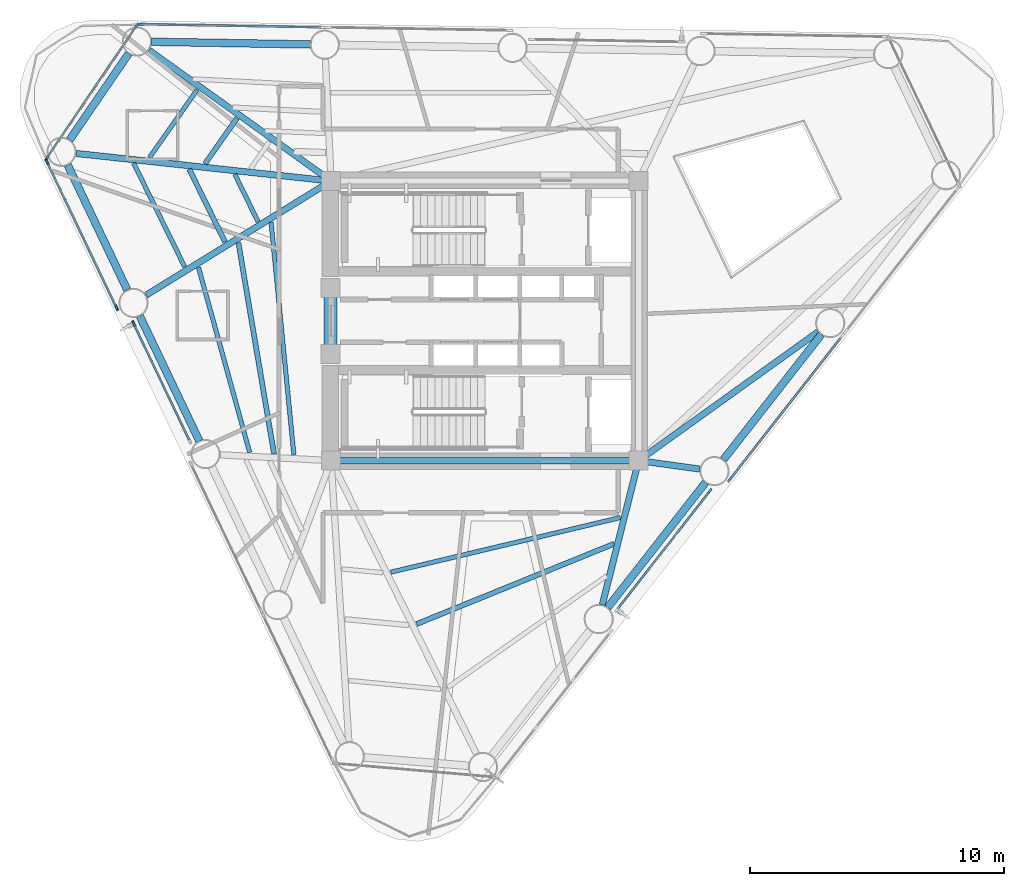
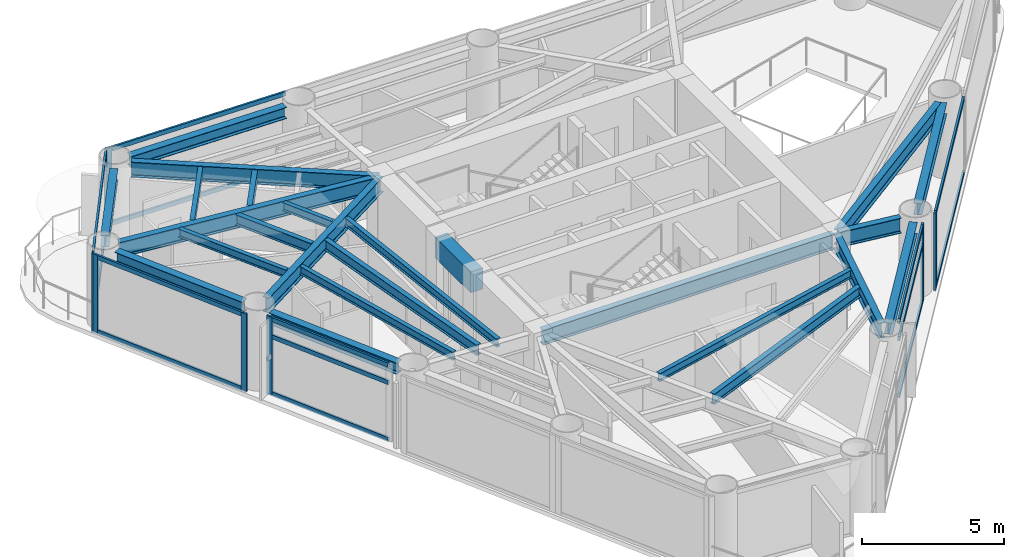
# One storey, part 2 of 9: 24 beams, 22 members, 6 elements without a shape of their own.
"""IFC4 building model written with IfcOpenShell, lengths in metres."""

from ifc_helpers import new_model, si_unit, direction, frame, origin, origin_2d, place, context, subcontext, project, spatial, rectangle, i_section, extrude, source, transform, mapped, material, layer, layer_set, material_profile, profile_set, type_object, element, aggregate, save


model = new_model("IFC4")

# Units and contexts
model_context = context("Model", 3, precision=1e-05, world=origin(), true_north=direction((0.0, 1.0)))
body_context = subcontext(model_context, "Body", "Model", "MODEL_VIEW")
ifc_project = project(units=[si_unit("LENGTHUNIT", "METRE"), si_unit("AREAUNIT", "SQUARE_METRE"), si_unit("VOLUMEUNIT", "CUBIC_METRE"), si_unit("PLANEANGLEUNIT", "RADIAN"), si_unit("MASSUNIT", "GRAM", prefix="KILO")], contexts=[model_context])

# Site, building, storey
site_placement = place(None, origin())
site = spatial("IfcSite", under=ifc_project, at=site_placement, CompositionType="ELEMENT")
building_placement = place(site_placement, origin())
building = spatial("IfcBuilding", under=site, at=building_placement, Name="Yunling Apex Tower", CompositionType="ELEMENT")
storey_placement = place(building_placement, frame((0.0, 0.0, 201.800048828125)))
storey = spatial("IfcBuildingStorey", under=building, at=storey_placement, Name="L49", CompositionType="ELEMENT", Elevation=201.800048828125)

# Beams
ifc_material_1 = material(Name="Concrete C50", Category="concrete")
ifc_material_profile_1 = material_profile(ifc_material_1, rectangle(XDim=0.5, YDim=0.89990234375, at=origin_2d()))
ifc_profile_set_1 = profile_set([ifc_material_profile_1], Name="Concrete C50")
beam_type_1 = type_object("IfcBeamType", Name="BC-CPL-2", PredefinedType="BEAM", material=ifc_profile_set_1)
shared_shape_1 = source(origin(), body_context, "Body", "SweptSolid", [
    extrude(rectangle(XDim=0.5, YDim=0.89990234375, at=origin_2d()), origin(), (0.0, 0.0, 1.0), 2.5),
])
beam_1_placement = place(storey_placement, frame((-6.074951171875, -1.25, 2.820068359375), z_axis=(0.0, 1.0, 0.0), x_axis=(-1.0, 0.0, 0.0)))
element("IfcBeam", 1, at=beam_1_placement, inside=storey, type_object=beam_type_1, Name="L49 Core West Portal Coupling Beam", PredefinedType="BEAM", context=body_context, shape_type="MappedRepresentation", body=[
    mapped(shared_shape_1, transform((0.0, 0.0, 0.0), scale=1.0)),
])
ifc_material_2 = material(Name="Steel Q355B", Category="steel")
ifc_material_profile_2 = material_profile(ifc_material_2, i_section(OverallWidth=0.25, OverallDepth=0.64990234375, WebThickness=0.011962890625, FlangeThickness=0.02001953125, FilletRadius=0.02392578125, at=origin_2d()))
ifc_profile_set_2 = profile_set([ifc_material_profile_2], Name="Steel Q355B")
beam_type_2 = type_object("IfcBeamType", Name="BG-PRI-4", PredefinedType="USERDEFINED", material=ifc_profile_set_2)
shared_shape_2 = source(origin(), body_context, "Body", "SweptSolid", [
    extrude(i_section(OverallWidth=0.25, OverallDepth=0.64990234375, WebThickness=0.011962890625, FlangeThickness=0.02001953125, FilletRadius=0.02392578125, at=origin_2d()), origin(), (0.0, 0.0, 1.0), 11.7998046875),
])
beam_2_placement = place(storey_placement, frame((-5.89990234375, -5.5, 2.945068359375), z_axis=(1.0, 0.0, 0.0), x_axis=(0.0, 1.0, 0.0)))
element("IfcBeam", 2, at=beam_2_placement, inside=storey, type_object=beam_type_2, Name="L49 Core Ring Tie Beam 1", ObjectType="GIRDER", PredefinedType="USERDEFINED", context=body_context, shape_type="MappedRepresentation", body=[
    mapped(shared_shape_2, transform((0.0, 0.0, 0.0), scale=1.0)),
])
ifc_material_profile_3 = material_profile(ifc_material_2, i_section(OverallWidth=0.300048828125, OverallDepth=0.489990234375, WebThickness=0.010986328125, FlangeThickness=0.01806640625, FilletRadius=0.02197265625, at=origin_2d()))
ifc_profile_set_3 = profile_set([ifc_material_profile_3], Name="Steel Q355B")
beam_type_3 = type_object("IfcBeamType", Name="BP-SPN-2", PredefinedType="SPANDREL", material=ifc_profile_set_3)
shared_shape_3 = source(origin(), body_context, "Body", "SweptSolid", [
    extrude(i_section(OverallWidth=0.300048828125, OverallDepth=0.489990234375, WebThickness=0.010986328125, FlangeThickness=0.01806640625, FilletRadius=0.02197265625, at=origin_2d()), origin(), (0.0, 0.0, 1.0), 6.253173828125),
])
for number, where, z_axis, x_axis, name in (
    (3, (4.831298828125, -11.2841796875, 3.02490234375), (0.61621666878, 0.787576673803, 0.0), (-0.787576673803, 0.61621666878, 0.0), "L49 Perimeter Spandrel Beam 2"),
    (4, (9.3857421875, -5.463134765625, 3.02490234375), (0.61621666878, 0.787576673803, 0.0), (-0.787576673803, 0.61621666878, 0.0), "L49 Perimeter Spandrel Beam 3"),
    (5, (-6.86669921875, 10.875, 3.02490234375), (-0.999859061432, 0.016788605428, 0.0), (-0.016788605428, -0.999859061432, 0.0), "L49 Perimeter Spandrel Beam 9"),
):
    element("IfcBeam", number, at=place(storey_placement, frame(where, z_axis=z_axis, x_axis=x_axis)), inside=storey, type_object=beam_type_3, Name=name, PredefinedType="SPANDREL", context=body_context, shape_type="MappedRepresentation", body=[
        mapped(shared_shape_3, transform((0.0, 0.0, 0.0), scale=1.0)),
    ])
shared_shape_4 = source(origin(), body_context, "Body", "SweptSolid", [
    extrude(i_section(OverallWidth=0.300048828125, OverallDepth=0.489990234375, WebThickness=0.010986328125, FlangeThickness=0.01806640625, FilletRadius=0.02197265625, at=origin_2d()), origin(), (0.0, 0.0, 1.0), 4.121337890625),
])
beam_3_placement = place(storey_placement, frame((-14.009033203125, 10.519775390625, 3.02490234375), z_axis=(-0.564775228093, -0.825244776858, 0.0), x_axis=(0.825244776858, -0.564775228093, 0.0)))
element("IfcBeam", 6, at=beam_3_placement, inside=storey, type_object=beam_type_3, Name="L49 Perimeter Spandrel Beam 10", PredefinedType="SPANDREL", context=body_context, shape_type="MappedRepresentation", body=[
    mapped(shared_shape_4, transform((0.0, 0.0, 0.0), scale=1.0)),
])
shared_shape_5 = source(origin(), body_context, "Body", "SweptSolid", [
    extrude(i_section(OverallWidth=0.300048828125, OverallDepth=0.489990234375, WebThickness=0.010986328125, FlangeThickness=0.01806640625, FilletRadius=0.02197265625, at=origin_2d()), origin(), (0.0, 0.0, 1.0), 5.4482421875),
])
for number, where, z_axis, x_axis, name in (
    (7, (-16.4130859375, 6.135498046875, 3.02490234375), (0.430538797564, -0.902572071246, 0.0), (0.902572071246, 0.430538797564, 0.0), "L49 Perimeter Spandrel Beam 11"),
    (8, (-13.577392578125, 0.190673828125, 3.02490234375), (0.430502292287, -0.902589483839, 0.0), (0.902589483839, 0.430502292287, 0.0), "L49 Perimeter Spandrel Beam 12"),
):
    element("IfcBeam", number, at=place(storey_placement, frame(where, z_axis=z_axis, x_axis=x_axis)), inside=storey, type_object=beam_type_3, Name=name, PredefinedType="SPANDREL", context=body_context, shape_type="MappedRepresentation", body=[
        mapped(shared_shape_5, transform((0.0, 0.0, 0.0), scale=1.0)),
    ])
shared_shape_6 = source(origin(), body_context, "Body", "SweptSolid", [
    extrude(i_section(OverallWidth=0.25, OverallDepth=0.64990234375, WebThickness=0.011962890625, FlangeThickness=0.02001953125, FilletRadius=0.02392578125, at=origin_2d()), origin(), (0.0, 0.0, 1.0), 5.763427734375),
])
beam_4_placement = place(storey_placement, frame((4.623291015625, -11.166748046875, 2.945068359375), z_axis=(0.244159894622, 0.969734987436, 0.0), x_axis=(-0.969734987436, 0.244159894622, 0.0)))
element("IfcBeam", 9, at=beam_4_placement, inside=storey, type_object=beam_type_2, Name="L49 Radial Primary Girder R02", ObjectType="GIRDER", PredefinedType="USERDEFINED", context=body_context, shape_type="MappedRepresentation", body=[
    mapped(shared_shape_6, transform((0.0, 0.0, 0.0), scale=1.0)),
])
shared_shape_7 = source(origin(), body_context, "Body", "SweptSolid", [
    extrude(i_section(OverallWidth=0.25, OverallDepth=0.64990234375, WebThickness=0.011962890625, FlangeThickness=0.02001953125, FilletRadius=0.02392578125, at=origin_2d()), origin(), (0.0, 0.0, 1.0), 2.35009765625),
])
beam_5_placement = place(storey_placement, frame((8.45751953125, -5.831787109375, 2.945068359375), z_axis=(-0.990639545436, 0.136503813203, 0.0), x_axis=(-0.136503813203, -0.990639545436, 0.0)))
element("IfcBeam", 10, at=beam_5_placement, inside=storey, type_object=beam_type_2, Name="L49 Radial Primary Girder R03", ObjectType="GIRDER", PredefinedType="USERDEFINED", context=body_context, shape_type="MappedRepresentation", body=[
    mapped(shared_shape_7, transform((0.0, 0.0, 0.0), scale=1.0)),
])
shared_shape_8 = source(origin(), body_context, "Body", "SweptSolid", [
    extrude(i_section(OverallWidth=0.25, OverallDepth=0.64990234375, WebThickness=0.011962890625, FlangeThickness=0.02001953125, FilletRadius=0.02392578125, at=origin_2d()), origin(), (0.0, 0.0, 1.0), 8.616455078125),
])
beam_6_placement = place(storey_placement, frame((13.11572265625, -0.43017578125, 2.945068359375), z_axis=(-0.812487192657, -0.58297904059, 0.0), x_axis=(0.58297904059, -0.812487192657, 0.0)))
element("IfcBeam", 11, at=beam_6_placement, inside=storey, type_object=beam_type_2, Name="L49 Radial Primary Girder R04", ObjectType="GIRDER", PredefinedType="USERDEFINED", context=body_context, shape_type="MappedRepresentation", body=[
    mapped(shared_shape_8, transform((0.0, 0.0, 0.0), scale=1.0)),
])
shared_shape_9 = source(origin(), body_context, "Body", "SweptSolid", [
    extrude(i_section(OverallWidth=0.25, OverallDepth=0.64990234375, WebThickness=0.011962890625, FlangeThickness=0.02001953125, FilletRadius=0.02392578125, at=origin_2d()), origin(), (0.0, 0.0, 1.0), 8.742919921875),
])
beam_7_placement = place(storey_placement, frame((-13.21435546875, 10.649169921875, 2.945068359375), z_axis=(0.812022401907, -0.583626266373, 0.0), x_axis=(0.583626266373, 0.812022401907, 0.0)))
element("IfcBeam", 12, at=beam_7_placement, inside=storey, type_object=beam_type_2, Name="L49 Radial Primary Girder R10", ObjectType="GIRDER", PredefinedType="USERDEFINED", context=body_context, shape_type="MappedRepresentation", body=[
    mapped(shared_shape_9, transform((0.0, 0.0, 0.0), scale=1.0)),
])
shared_shape_10 = source(origin(), body_context, "Body", "SweptSolid", [
    extrude(i_section(OverallWidth=0.25, OverallDepth=0.64990234375, WebThickness=0.011962890625, FlangeThickness=0.02001953125, FilletRadius=0.02392578125, at=origin_2d()), origin(), (0.0, 0.0, 1.0), 10.007080078125),
])
beam_8_placement = place(storey_placement, frame((-16.078369140625, 6.586181640625, 2.945068359375), z_axis=(0.994184902243, -0.107686490111, 0.0), x_axis=(0.107686490111, 0.994184902243, 0.0)))
element("IfcBeam", 13, at=beam_8_placement, inside=storey, type_object=beam_type_2, Name="L49 Radial Primary Girder R11", ObjectType="GIRDER", PredefinedType="USERDEFINED", context=body_context, shape_type="MappedRepresentation", body=[
    mapped(shared_shape_10, transform((0.0, 0.0, 0.0), scale=1.0)),
])
shared_shape_11 = source(origin(), body_context, "Body", "SweptSolid", [
    extrude(i_section(OverallWidth=0.25, OverallDepth=0.64990234375, WebThickness=0.011962890625, FlangeThickness=0.02001953125, FilletRadius=0.02392578125, at=origin_2d()), origin(), (0.0, 0.0, 1.0), 8.4697265625),
])
beam_9_placement = place(storey_placement, frame((-13.326171875, 1.010498046875, 2.945068359375), z_axis=(0.851035190572, 0.525108659621, 0.0), x_axis=(-0.525108659621, 0.851035190572, 0.0)))
element("IfcBeam", 14, at=beam_9_placement, inside=storey, type_object=beam_type_2, Name="L49 Radial Primary Girder R12", ObjectType="GIRDER", PredefinedType="USERDEFINED", context=body_context, shape_type="MappedRepresentation", body=[
    mapped(shared_shape_11, transform((0.0, 0.0, 0.0), scale=1.0)),
])
ifc_material_profile_4 = material_profile(ifc_material_2, i_section(OverallWidth=0.199951171875, OverallDepth=0.449951171875, WebThickness=0.009033203125, FlangeThickness=0.013916015625, FilletRadius=0.01806640625, at=origin_2d()))
ifc_profile_set_4 = profile_set([ifc_material_profile_4], Name="Steel Q355B")
beam_type_4 = type_object("IfcBeamType", Name="BS-SEC-3", PredefinedType="BEAM", material=ifc_profile_set_4)
shared_shape_12 = source(origin(), body_context, "Body", "SweptSolid", [
    extrude(i_section(OverallWidth=0.199951171875, OverallDepth=0.449951171875, WebThickness=0.009033203125, FlangeThickness=0.013916015625, FilletRadius=0.01806640625, at=origin_2d()), origin(), (0.0, 0.0, 1.0), 8.396240234375),
])
beam_10_placement = place(storey_placement, frame((-2.684326171875, -11.9287109375, 3.044921875), z_axis=(0.926431402479, 0.376463619092, 0.0), x_axis=(-0.376463619092, 0.926431402479, 0.0)))
element("IfcBeam", 15, at=beam_10_placement, inside=storey, type_object=beam_type_4, Name="L49 Composite Floor Beam BS-1", PredefinedType="BEAM", context=body_context, shape_type="MappedRepresentation", body=[
    mapped(shared_shape_12, transform((0.0, 0.0, 0.0), scale=1.0)),
])
ifc_material_profile_5 = material_profile(ifc_material_2, i_section(OverallWidth=0.175048828125, OverallDepth=0.35009765625, WebThickness=0.007080078125, FlangeThickness=0.010986328125, FilletRadius=0.013916015625, at=origin_2d()))
ifc_profile_set_5 = profile_set([ifc_material_profile_5], Name="Steel Q355B")
beam_type_5 = type_object("IfcBeamType", Name="BJ-JST-1", PredefinedType="JOIST", material=ifc_profile_set_5)
shared_shape_13 = source(origin(), body_context, "Body", "SweptSolid", [
    extrude(i_section(OverallWidth=0.175048828125, OverallDepth=0.35009765625, WebThickness=0.007080078125, FlangeThickness=0.010986328125, FilletRadius=0.013916015625, at=origin_2d()), origin(), (0.0, 0.0, 1.0), 9.2919921875),
])
beam_11_placement = place(storey_placement, frame((-3.69970703125, -9.88916015625, 3.094970703125), z_axis=(0.972847358166, 0.231447656523, 0.0), x_axis=(-0.231447656523, 0.972847358166, 0.0)))
element("IfcBeam", 16, at=beam_11_placement, inside=storey, type_object=beam_type_5, Name="L49 Composite Floor Joist BJ3-1", PredefinedType="JOIST", context=body_context, shape_type="MappedRepresentation", body=[
    mapped(shared_shape_13, transform((0.0, 0.0, 0.0), scale=1.0)),
])
shared_shape_14 = source(origin(), body_context, "Body", "SweptSolid", [
    extrude(i_section(OverallWidth=0.199951171875, OverallDepth=0.449951171875, WebThickness=0.009033203125, FlangeThickness=0.013916015625, FilletRadius=0.01806640625, at=origin_2d()), origin(), (0.0, 0.0, 1.0), 2.18505859375),
])
beam_12_placement = place(storey_placement, frame((-9.756591796875, 7.966796875, 3.044921875), z_axis=(-0.57454920808, -0.818470040682, 0.0), x_axis=(0.818470040682, -0.57454920808, 0.0)))
element("IfcBeam", 17, at=beam_12_placement, inside=storey, type_object=beam_type_4, Name="L49 Composite Floor Beam BS-10", PredefinedType="BEAM", context=body_context, shape_type="MappedRepresentation", body=[
    mapped(shared_shape_14, transform((0.0, 0.0, 0.0), scale=1.0)),
])
shared_shape_15 = source(origin(), body_context, "Body", "SweptSolid", [
    extrude(i_section(OverallWidth=0.175048828125, OverallDepth=0.35009765625, WebThickness=0.007080078125, FlangeThickness=0.010986328125, FilletRadius=0.013916015625, at=origin_2d()), origin(), (0.0, 0.0, 1.0), 3.270263671875),
])
beam_13_placement = place(storey_placement, frame((-11.318603515625, 9.089599609375, 3.094970703125), z_axis=(-0.575524843555, -0.817784295797, 0.0), x_axis=(0.817784295797, -0.575524843555, 0.0)))
element("IfcBeam", 18, at=beam_13_placement, inside=storey, type_object=beam_type_5, Name="L49 Composite Floor Joist BJ1-10", PredefinedType="JOIST", context=body_context, shape_type="MappedRepresentation", body=[
    mapped(shared_shape_15, transform((0.0, 0.0, 0.0), scale=1.0)),
])
shared_shape_16 = source(origin(), body_context, "Body", "SweptSolid", [
    extrude(i_section(OverallWidth=0.199951171875, OverallDepth=0.449951171875, WebThickness=0.009033203125, FlangeThickness=0.013916015625, FilletRadius=0.01806640625, at=origin_2d()), origin(), (0.0, 0.0, 1.0), 3.1845703125),
])
beam_14_placement = place(storey_placement, frame((-11.63037109375, 5.968505859375, 3.044921875), z_axis=(0.441285246196, -0.897366887895, 0.0), x_axis=(0.897366887895, 0.441285246196, 0.0)))
element("IfcBeam", 19, at=beam_14_placement, inside=storey, type_object=beam_type_4, Name="L49 Composite Floor Beam BS-11", PredefinedType="BEAM", context=body_context, shape_type="MappedRepresentation", body=[
    mapped(shared_shape_16, transform((0.0, 0.0, 0.0), scale=1.0)),
])
shared_shape_17 = source(origin(), body_context, "Body", "SweptSolid", [
    extrude(i_section(OverallWidth=0.175048828125, OverallDepth=0.35009765625, WebThickness=0.007080078125, FlangeThickness=0.010986328125, FilletRadius=0.013916015625, at=origin_2d()), origin(), (0.0, 0.0, 1.0), 4.541259765625),
])
beam_15_placement = place(storey_placement, frame((-13.81884765625, 6.205810546875, 3.094970703125), z_axis=(0.442066776363, -0.896982143209, 0.0), x_axis=(0.896982143209, 0.442066776363, 0.0)))
element("IfcBeam", 20, at=beam_15_placement, inside=storey, type_object=beam_type_5, Name="L49 Composite Floor Joist BJ1-11", PredefinedType="JOIST", context=body_context, shape_type="MappedRepresentation", body=[
    mapped(shared_shape_17, transform((0.0, 0.0, 0.0), scale=1.0)),
])
shared_shape_18 = source(origin(), body_context, "Body", "SweptSolid", [
    extrude(i_section(OverallWidth=0.175048828125, OverallDepth=0.35009765625, WebThickness=0.007080078125, FlangeThickness=0.010986328125, FilletRadius=0.013916015625, at=origin_2d()), origin(), (0.0, 0.0, 1.0), 2.07421875),
])
beam_16_placement = place(storey_placement, frame((-9.839599609375, 5.7744140625, 3.094970703125), z_axis=(0.439758949759, -0.898115842254, 0.0), x_axis=(0.898115842254, 0.439758949759, 0.0)))
element("IfcBeam", 21, at=beam_16_placement, inside=storey, type_object=beam_type_5, Name="L49 Composite Floor Joist BJ3-11", PredefinedType="JOIST", context=body_context, shape_type="MappedRepresentation", body=[
    mapped(shared_shape_18, transform((0.0, 0.0, 0.0), scale=1.0)),
])
shared_shape_19 = source(origin(), body_context, "Body", "SweptSolid", [
    extrude(i_section(OverallWidth=0.199951171875, OverallDepth=0.449951171875, WebThickness=0.009033203125, FlangeThickness=0.013916015625, FilletRadius=0.01806640625, at=origin_2d()), origin(), (0.0, 0.0, 1.0), 8.41943359375),
])
beam_17_placement = place(storey_placement, frame((-9.695556640625, 3.076416015625, 3.044921875), z_axis=(0.16647230798, -0.986046130095, 0.0), x_axis=(0.986046130095, 0.16647230798, 0.0)))
element("IfcBeam", 22, at=beam_17_placement, inside=storey, type_object=beam_type_4, Name="L49 Composite Floor Beam BS-12", PredefinedType="BEAM", context=body_context, shape_type="MappedRepresentation", body=[
    mapped(shared_shape_19, transform((0.0, 0.0, 0.0), scale=1.0)),
])
shared_shape_20 = source(origin(), body_context, "Body", "SweptSolid", [
    extrude(i_section(OverallWidth=0.175048828125, OverallDepth=0.35009765625, WebThickness=0.007080078125, FlangeThickness=0.010986328125, FilletRadius=0.013916015625, at=origin_2d()), origin(), (0.0, 0.0, 1.0), 7.554931640625),
])
beam_18_placement = place(storey_placement, frame((-11.265380859375, 2.1015625, 3.094970703125), z_axis=(0.266700380195, -0.963779490965, 0.0), x_axis=(0.963779490965, 0.266700380195, 0.0)))
element("IfcBeam", 23, at=beam_18_placement, inside=storey, type_object=beam_type_5, Name="L49 Composite Floor Joist BJ1-12", PredefinedType="JOIST", context=body_context, shape_type="MappedRepresentation", body=[
    mapped(shared_shape_20, transform((0.0, 0.0, 0.0), scale=1.0)),
])
shared_shape_21 = source(origin(), body_context, "Body", "SweptSolid", [
    extrude(i_section(OverallWidth=0.175048828125, OverallDepth=0.35009765625, WebThickness=0.007080078125, FlangeThickness=0.010986328125, FilletRadius=0.013916015625, at=origin_2d()), origin(), (0.0, 0.0, 1.0), 9.183837890625),
])
beam_19_placement = place(storey_placement, frame((-8.4091796875, 3.87548828125, 3.094970703125), z_axis=(0.097534767925, -0.995232118174, 0.0), x_axis=(0.995232118174, 0.097534767925, 0.0)))
element("IfcBeam", 24, at=beam_19_placement, inside=storey, type_object=beam_type_5, Name="L49 Composite Floor Joist BJ3-12", PredefinedType="JOIST", context=body_context, shape_type="MappedRepresentation", body=[
    mapped(shared_shape_21, transform((0.0, 0.0, 0.0), scale=1.0)),
])

# Curtain wall, member
ifc_material_3 = material(Name="Bronze anodised aluminium", Category="aluminium")
ifc_layer = layer(ifc_material_3, 0.239990234375)
ifc_layer_set = layer_set([ifc_layer], Name="Bronze anodised aluminium")
curtain_wall_type = type_object("IfcCurtainWallType", Name="CW-SYS-3", PredefinedType="NOTDEFINED", material=ifc_layer_set)
curtain_wall_1_placement = place(storey_placement, origin())
curtain_wall_1 = element("IfcCurtainWall", 25, at=curtain_wall_1_placement, inside=storey, type_object=curtain_wall_type, Name="CW-L49-F1-B2", PredefinedType="NOTDEFINED")
ifc_material_profile_6 = material_profile(ifc_material_3, rectangle(XDim=0.080078125, YDim=0.239990234375, at=origin_2d()))
ifc_profile_set_6 = profile_set([ifc_material_profile_6], Name="Bronze anodised aluminium")
member_type_1 = type_object("IfcMemberType", Name="CW-MUL-3", PredefinedType="MULLION", material=ifc_profile_set_6)
shared_shape_22 = source(origin(), body_context, "Body", "SweptSolid", [
    extrude(rectangle(XDim=0.080078125, YDim=0.239990234375, at=origin_2d()), origin(), (0.0, 0.0, 1.0), 3.3701171875),
])
member_1_placement = place(storey_placement, frame((8.846923828125, -6.70361328125, -0.050048828125), z_axis=(0.0, 0.0, 1.0), x_axis=(-0.787576499109, 0.616216892053, 0.0)))
member_1 = element("IfcMember", 26, at=member_1_placement, type_object=member_type_1, Name="CW-SYS-3 mullion 2", PredefinedType="MULLION", context=body_context, shape_type="MappedRepresentation", body=[
    mapped(shared_shape_22, transform((0.0, 0.0, 0.0), scale=1.0)),
])

curtain_wall_2_placement = place(storey_placement, origin())
curtain_wall_2 = element("IfcCurtainWall", 27, at=curtain_wall_2_placement, inside=storey, type_object=curtain_wall_type, Name="CW-L49-F1-B3", PredefinedType="NOTDEFINED")
member_2_placement = place(storey_placement, frame((9.64453125, -6.23583984375, -0.050048828125), z_axis=(0.0, 0.0, 1.0), x_axis=(-0.787589332433, 0.616200489644, 0.0)))
member_2 = element("IfcMember", 28, at=member_2_placement, type_object=member_type_1, Name="CW-SYS-3 mullion 1", PredefinedType="MULLION", context=body_context, shape_type="MappedRepresentation", body=[
    mapped(shared_shape_22, transform((0.0, 0.0, 0.0), scale=1.0)),
])

curtain_wall_3_placement = place(storey_placement, origin())
curtain_wall_3 = element("IfcCurtainWall", 29, at=curtain_wall_3_placement, inside=storey, type_object=curtain_wall_type, Name="CW-L49-F2-B4", PredefinedType="NOTDEFINED")
member_3_placement = place(storey_placement, frame((-13.556396484375, 11.667236328125, -0.050048828125), z_axis=(0.0, 0.0, 1.0), x_axis=(-0.016761362354, -0.999859518498, 0.0)))
member_3 = element("IfcMember", 30, at=member_3_placement, type_object=member_type_1, Name="CW-SYS-3 mullion 2", PredefinedType="MULLION", context=body_context, shape_type="MappedRepresentation", body=[
    mapped(shared_shape_22, transform((0.0, 0.0, 0.0), scale=1.0)),
])

# Curtain wall, members
curtain_wall_4_placement = place(storey_placement, origin())
curtain_wall_4 = element("IfcCurtainWall", 31, at=curtain_wall_4_placement, inside=storey, type_object=curtain_wall_type, Name="CW-L49-CRN2", PredefinedType="NOTDEFINED")
member_4_placement = place(storey_placement, frame((-13.698974609375, 11.6162109375, -0.050048828125), z_axis=(0.0, 0.0, 1.0), x_axis=(0.828106898006, -0.56057021458, 0.0)))
member_4 = element("IfcMember", 32, at=member_4_placement, type_object=member_type_1, Name="CW-SYS-3 mullion 1", PredefinedType="MULLION", context=body_context, shape_type="MappedRepresentation", body=[
    mapped(shared_shape_22, transform((0.0, 0.0, 0.0), scale=1.0)),
])
member_5_placement = place(storey_placement, frame((-17.231201171875, 6.398193359375, -0.050048828125), z_axis=(0.0, 0.0, 1.0), x_axis=(0.828106898006, -0.56057021458, 0.0)))
member_5 = element("IfcMember", 33, at=member_5_placement, type_object=member_type_1, Name="CW-SYS-3 mullion 2", PredefinedType="MULLION", context=body_context, shape_type="MappedRepresentation", body=[
    mapped(shared_shape_22, transform((0.0, 0.0, 0.0), scale=1.0)),
])

curtain_wall_5_placement = place(storey_placement, origin())
curtain_wall_5 = element("IfcCurtainWall", 34, at=curtain_wall_5_placement, inside=storey, type_object=curtain_wall_type, Name="CW-L49-F3-B1", PredefinedType="NOTDEFINED")
member_6_placement = place(storey_placement, frame((-17.219970703125, 6.248046875, -0.050048828125), z_axis=(0.0, 0.0, 1.0), x_axis=(0.902582193367, 0.430517577128, 0.0)))
member_6 = element("IfcMember", 35, at=member_6_placement, type_object=member_type_1, Name="CW-SYS-3 mullion 1", PredefinedType="MULLION", context=body_context, shape_type="MappedRepresentation", body=[
    mapped(shared_shape_22, transform((0.0, 0.0, 0.0), scale=1.0)),
])
member_7_placement = place(storey_placement, frame((-14.48779296875, 0.52001953125, -0.050048828125), z_axis=(0.0, 0.0, 1.0), x_axis=(0.902582193367, 0.430517577128, 0.0)))
member_7 = element("IfcMember", 36, at=member_7_placement, type_object=member_type_1, Name="CW-SYS-3 mullion 2", PredefinedType="MULLION", context=body_context, shape_type="MappedRepresentation", body=[
    mapped(shared_shape_22, transform((0.0, 0.0, 0.0), scale=1.0)),
])

# Curtain wall, member
curtain_wall_6_placement = place(storey_placement, origin())
curtain_wall_6 = element("IfcCurtainWall", 37, at=curtain_wall_6_placement, inside=storey, type_object=curtain_wall_type, Name="CW-L49-F3-B2", PredefinedType="NOTDEFINED")
member_8_placement = place(storey_placement, frame((-13.810791015625, -0.110107421875, -0.050048828125), z_axis=(0.0, 0.0, 1.0), x_axis=(0.902583049107, 0.430515783062, 0.0)))
member_8 = element("IfcMember", 38, at=member_8_placement, type_object=member_type_1, Name="CW-SYS-3 mullion 1", PredefinedType="MULLION", context=body_context, shape_type="MappedRepresentation", body=[
    mapped(shared_shape_22, transform((0.0, 0.0, 0.0), scale=1.0)),
])

# Member
ifc_material_profile_7 = material_profile(ifc_material_3, rectangle(XDim=0.080078125, YDim=0.18505859375, at=origin_2d()))
ifc_profile_set_7 = profile_set([ifc_material_profile_7], Name="Bronze anodised aluminium")
member_type_2 = type_object("IfcMemberType", Name="CW-TRN-3", PredefinedType="USERDEFINED", material=ifc_profile_set_7)
shared_shape_23 = source(origin(), body_context, "Body", "SweptSolid", [
    extrude(rectangle(XDim=0.080078125, YDim=0.18505859375, at=origin_2d()), origin(), (0.0, 0.0, 1.0), 5.8388671875),
])
member_9_placement = place(storey_placement, frame((5.226806640625, -11.33056640625, 0.0400390625), z_axis=(0.616198894741, 0.787590580264, 0.0), x_axis=(-0.787590580264, 0.616198894741, 0.0)))
member_9 = element("IfcMember", 39, at=member_9_placement, type_object=member_type_2, Name="CW-SYS-3 transom 1.1", ObjectType="TRANSOM", PredefinedType="USERDEFINED", context=body_context, shape_type="MappedRepresentation", body=[
    mapped(shared_shape_23, transform((0.0, 0.0, 0.0), scale=1.0)),
])

member_10_placement = place(storey_placement, frame((5.226806640625, -11.33056640625, 2.485107421875), z_axis=(0.616198894741, 0.787590580264, 0.0), x_axis=(-0.787590580264, 0.616198894741, 0.0)))
member_10 = element("IfcMember", 40, at=member_10_placement, type_object=member_type_2, Name="CW-SYS-3 transom 1.2", ObjectType="TRANSOM", PredefinedType="USERDEFINED", context=body_context, shape_type="MappedRepresentation", body=[
    mapped(shared_shape_23, transform((0.0, 0.0, 0.0), scale=1.0)),
])

member_11_placement = place(storey_placement, frame((5.226806640625, -11.33056640625, 3.22998046875), z_axis=(0.616198894741, 0.787590580264, 0.0), x_axis=(-0.787590580264, 0.616198894741, 0.0)))
member_11 = element("IfcMember", 41, at=member_11_placement, type_object=member_type_2, Name="CW-SYS-3 transom 1.3", ObjectType="TRANSOM", PredefinedType="USERDEFINED", context=body_context, shape_type="MappedRepresentation", body=[
    mapped(shared_shape_23, transform((0.0, 0.0, 0.0), scale=1.0)),
])

aggregate(curtain_wall_1, [member_1, member_9, member_10, member_11])

shared_shape_24 = source(origin(), body_context, "Body", "SweptSolid", [
    extrude(rectangle(XDim=0.080078125, YDim=0.18505859375, at=origin_2d()), origin(), (0.0, 0.0, 1.0), 7.0791015625),
])
member_12_placement = place(storey_placement, frame((9.666748046875, -6.20751953125, 0.0400390625), z_axis=(0.616192015574, 0.78759596237, 0.0), x_axis=(-0.78759596237, 0.616192015574, 0.0)))
member_12 = element("IfcMember", 42, at=member_12_placement, type_object=member_type_2, Name="CW-SYS-3 transom 1.1", ObjectType="TRANSOM", PredefinedType="USERDEFINED", context=body_context, shape_type="MappedRepresentation", body=[
    mapped(shared_shape_24, transform((0.0, 0.0, 0.0), scale=1.0)),
])

member_13_placement = place(storey_placement, frame((9.666748046875, -6.20751953125, 3.22998046875), z_axis=(0.616192015574, 0.78759596237, 0.0), x_axis=(-0.78759596237, 0.616192015574, 0.0)))
member_13 = element("IfcMember", 43, at=member_13_placement, type_object=member_type_2, Name="CW-SYS-3 transom 1.2", ObjectType="TRANSOM", PredefinedType="USERDEFINED", context=body_context, shape_type="MappedRepresentation", body=[
    mapped(shared_shape_24, transform((0.0, 0.0, 0.0), scale=1.0)),
])

aggregate(curtain_wall_2, [member_2, member_12, member_13])

shared_shape_25 = source(origin(), body_context, "Body", "SweptSolid", [
    extrude(rectangle(XDim=0.080078125, YDim=0.18505859375, at=origin_2d()), origin(), (0.0, 0.0, 1.0), 7.078857421875),
])
member_14_placement = place(storey_placement, frame((-6.4423828125, 11.548095703125, 0.0400390625), z_axis=(-0.999859516724, 0.016761468219, 0.0), x_axis=(-0.016761468219, -0.999859516724, 0.0)))
member_14 = element("IfcMember", 44, at=member_14_placement, type_object=member_type_2, Name="CW-SYS-3 transom 1.1", ObjectType="TRANSOM", PredefinedType="USERDEFINED", context=body_context, shape_type="MappedRepresentation", body=[
    mapped(shared_shape_25, transform((0.0, 0.0, 0.0), scale=1.0)),
])

member_15_placement = place(storey_placement, frame((-6.4423828125, 11.548095703125, 3.22998046875), z_axis=(-0.999859516724, 0.016761468219, 0.0), x_axis=(-0.016761468219, -0.999859516724, 0.0)))
member_15 = element("IfcMember", 45, at=member_15_placement, type_object=member_type_2, Name="CW-SYS-3 transom 1.2", ObjectType="TRANSOM", PredefinedType="USERDEFINED", context=body_context, shape_type="MappedRepresentation", body=[
    mapped(shared_shape_25, transform((0.0, 0.0, 0.0), scale=1.0)),
])

aggregate(curtain_wall_3, [member_3, member_14, member_15])

shared_shape_26 = source(origin(), body_context, "Body", "SweptSolid", [
    extrude(rectangle(XDim=0.080078125, YDim=0.18505859375, at=origin_2d()), origin(), (0.0, 0.0, 1.0), 6.229248046875),
])
member_16_placement = place(storey_placement, frame((-13.71923828125, 11.58642578125, 0.0400390625), z_axis=(-0.560574268249, -0.828104153942, 0.0), x_axis=(0.828104153942, -0.560574268249, 0.0)))
member_16 = element("IfcMember", 46, at=member_16_placement, type_object=member_type_2, Name="CW-SYS-3 transom 1.1", ObjectType="TRANSOM", PredefinedType="USERDEFINED", context=body_context, shape_type="MappedRepresentation", body=[
    mapped(shared_shape_26, transform((0.0, 0.0, 0.0), scale=1.0)),
])

member_17_placement = place(storey_placement, frame((-13.71923828125, 11.58642578125, 3.22998046875), z_axis=(-0.560574268249, -0.828104153942, 0.0), x_axis=(0.828104153942, -0.560574268249, 0.0)))
member_17 = element("IfcMember", 47, at=member_17_placement, type_object=member_type_2, Name="CW-SYS-3 transom 1.2", ObjectType="TRANSOM", PredefinedType="USERDEFINED", context=body_context, shape_type="MappedRepresentation", body=[
    mapped(shared_shape_26, transform((0.0, 0.0, 0.0), scale=1.0)),
])

aggregate(curtain_wall_4, [member_4, member_5, member_16, member_17])

shared_shape_27 = source(origin(), body_context, "Body", "SweptSolid", [
    extrude(rectangle(XDim=0.080078125, YDim=0.18505859375, at=origin_2d()), origin(), (0.0, 0.0, 1.0), 6.2744140625),
])
member_18_placement = place(storey_placement, frame((-17.20458984375, 6.215576171875, 0.0400390625), z_axis=(0.430513491492, -0.902584142141, 0.0), x_axis=(0.902584142141, 0.430513491492, 0.0)))
member_18 = element("IfcMember", 48, at=member_18_placement, type_object=member_type_2, Name="CW-SYS-3 transom 1.1", ObjectType="TRANSOM", PredefinedType="USERDEFINED", context=body_context, shape_type="MappedRepresentation", body=[
    mapped(shared_shape_27, transform((0.0, 0.0, 0.0), scale=1.0)),
])

member_19_placement = place(storey_placement, frame((-17.20458984375, 6.215576171875, 3.22998046875), z_axis=(0.430513491492, -0.902584142141, 0.0), x_axis=(0.902584142141, 0.430513491492, 0.0)))
member_19 = element("IfcMember", 49, at=member_19_placement, type_object=member_type_2, Name="CW-SYS-3 transom 1.2", ObjectType="TRANSOM", PredefinedType="USERDEFINED", context=body_context, shape_type="MappedRepresentation", body=[
    mapped(shared_shape_27, transform((0.0, 0.0, 0.0), scale=1.0)),
])

aggregate(curtain_wall_5, [member_6, member_7, member_18, member_19])

shared_shape_28 = source(origin(), body_context, "Body", "SweptSolid", [
    extrude(rectangle(XDim=0.080078125, YDim=0.18505859375, at=origin_2d()), origin(), (0.0, 0.0, 1.0), 5.034423828125),
])
member_20_placement = place(storey_placement, frame((-13.795166015625, -0.142578125, 0.0400390625), z_axis=(0.430492583081, -0.902594114712, 0.0), x_axis=(0.902594114712, 0.430492583081, 0.0)))
member_20 = element("IfcMember", 50, at=member_20_placement, type_object=member_type_2, Name="CW-SYS-3 transom 1.1", ObjectType="TRANSOM", PredefinedType="USERDEFINED", context=body_context, shape_type="MappedRepresentation", body=[
    mapped(shared_shape_28, transform((0.0, 0.0, 0.0), scale=1.0)),
])

member_21_placement = place(storey_placement, frame((-13.795166015625, -0.142578125, 2.485107421875), z_axis=(0.430492583081, -0.902594114712, 0.0), x_axis=(0.902594114712, 0.430492583081, 0.0)))
member_21 = element("IfcMember", 51, at=member_21_placement, type_object=member_type_2, Name="CW-SYS-3 transom 1.2", ObjectType="TRANSOM", PredefinedType="USERDEFINED", context=body_context, shape_type="MappedRepresentation", body=[
    mapped(shared_shape_28, transform((0.0, 0.0, 0.0), scale=1.0)),
])

member_22_placement = place(storey_placement, frame((-13.795166015625, -0.142578125, 3.22998046875), z_axis=(0.430492583081, -0.902594114712, 0.0), x_axis=(0.902594114712, 0.430492583081, 0.0)))
member_22 = element("IfcMember", 52, at=member_22_placement, type_object=member_type_2, Name="CW-SYS-3 transom 1.3", ObjectType="TRANSOM", PredefinedType="USERDEFINED", context=body_context, shape_type="MappedRepresentation", body=[
    mapped(shared_shape_28, transform((0.0, 0.0, 0.0), scale=1.0)),
])

aggregate(curtain_wall_6, [member_8, member_20, member_21, member_22])

save(model, "model.ifc")
